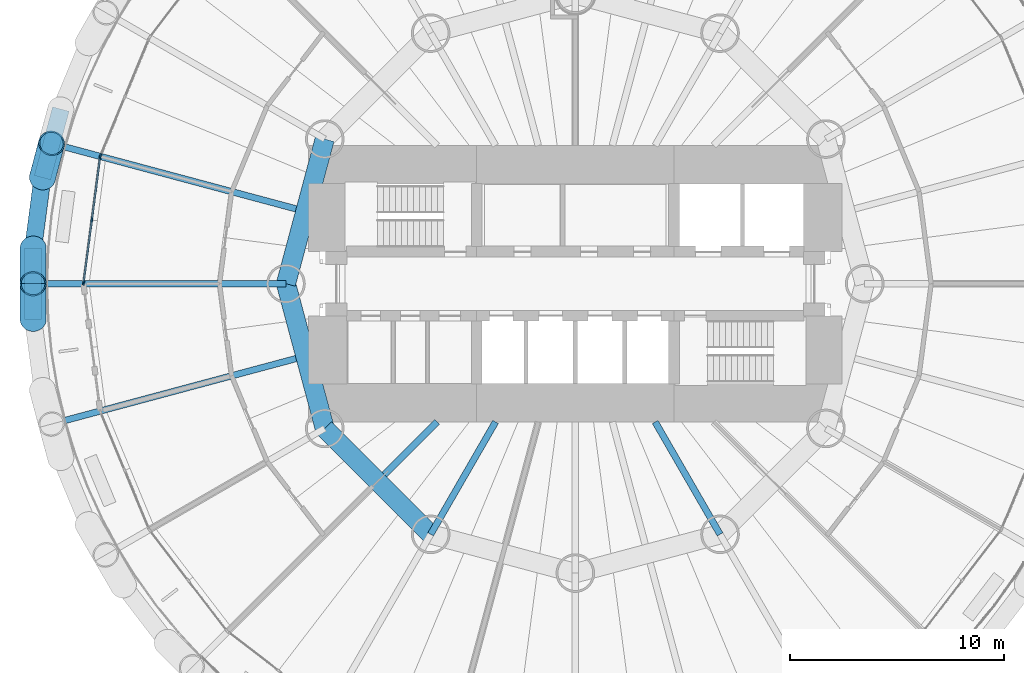
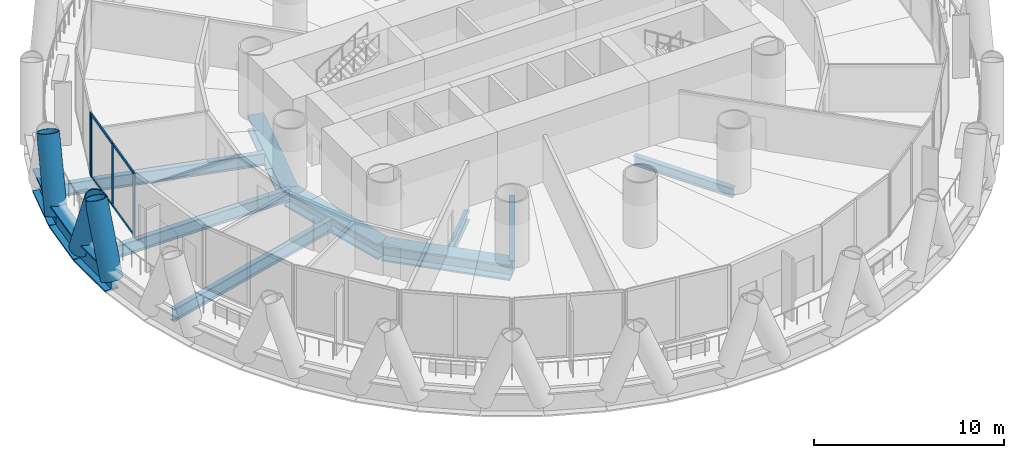
# One storey, part 3 of 16: 12 beams, 11 members, 2 elements without a shape of their own.
"""IFC4 building model written with IfcOpenShell, lengths in metres."""

from ifc_helpers import new_model, si_unit, direction, frame, origin, origin_2d, place, context, subcontext, project, spatial, rectangle, hollow_circle, i_section, extrude, material, material_profile, profile_set, type_object, element, aggregate, save


model = new_model("IFC4")

# Units and contexts
model_context = context("Model", 3, precision=1e-05, world=origin(), true_north=direction((0.0, 1.0)))
body_context = subcontext(model_context, "Body", "Model", "MODEL_VIEW")
ifc_project = project(units=[si_unit("LENGTHUNIT", "METRE"), si_unit("AREAUNIT", "SQUARE_METRE"), si_unit("VOLUMEUNIT", "CUBIC_METRE"), si_unit("PLANEANGLEUNIT", "RADIAN"), si_unit("MASSUNIT", "GRAM", prefix="KILO")], contexts=[model_context])

# Site, building, storey
site_placement = place(None, origin())
site = spatial("IfcSite", under=ifc_project, at=site_placement, CompositionType="ELEMENT")
building_placement = place(site_placement, origin())
building = spatial("IfcBuilding", under=site, at=building_placement, Name="Qaws Media Tower", CompositionType="ELEMENT")
storey_placement = place(building_placement, frame((0.0, 0.0, 105.800048828125)))
storey = spatial("IfcBuildingStorey", under=building, at=storey_placement, Name="L23", CompositionType="ELEMENT", Elevation=105.800048828125)

# Curtain wall, member
ifc_material_1 = material(Name="Aluminium and clear glass", Category="aluminium")
curtain_wall_type = type_object("IfcCurtainWallType", Name="Unitised curtain wall CW-B", PredefinedType="NOTDEFINED", material=ifc_material_1)
curtain_wall_1_placement = place(storey_placement, origin())
curtain_wall_1 = element("IfcCurtainWall", 1, at=curtain_wall_1_placement, inside=storey, type_object=curtain_wall_type, Name="CWB curtain wall L23-11", PredefinedType="NOTDEFINED")
ifc_material_2 = material(Name="Aluminium mullion", Category="aluminium")
ifc_material_profile_1 = material_profile(ifc_material_2, rectangle(XDim=0.080078125, YDim=0.199951171875, at=origin_2d()), Name="80x200")
ifc_profile_set_1 = profile_set([ifc_material_profile_1], Name="Aluminium mullion")
member_type_1 = type_object("IfcMemberType", Name="Curtain wall mullion 80x200", PredefinedType="MULLION", material=ifc_profile_set_1)
member_1_placement = place(storey_placement, frame((37.847412109375, 55.976806640625, 0.0), z_axis=(0.0, 0.0, 1.0), x_axis=(0.923879516682, -0.382683470581, 0.0)))
member_1 = element("IfcMember", 2, at=member_1_placement, type_object=member_type_1, Name="CWB mullion 3", PredefinedType="MULLION", context=body_context, shape_type="SweptSolid", body=[
    extrude(rectangle(XDim=0.080078125, YDim=0.199951171875, at=origin_2d()), origin(), (0.0, 0.0, 1.0), 4.0400390625),
])
aggregate(curtain_wall_1, [member_1])

# Curtain wall, members
curtain_wall_2_placement = place(storey_placement, origin())
curtain_wall_2 = element("IfcCurtainWall", 3, at=curtain_wall_2_placement, inside=storey, type_object=curtain_wall_type, Name="CWB curtain wall L23-12", PredefinedType="NOTDEFINED")
member_2_placement = place(storey_placement, frame((37.82666015625, 55.900146484375, 0.0), z_axis=(0.0, 0.0, 1.0), x_axis=(0.991444867324, -0.130526147022, 0.0)))
member_2 = element("IfcMember", 4, at=member_2_placement, type_object=member_type_1, Name="CWB mullion 1", PredefinedType="MULLION", context=body_context, shape_type="SweptSolid", body=[
    extrude(rectangle(XDim=0.080078125, YDim=0.199951171875, at=origin_2d()), origin(), (0.0, 0.0, 1.0), 4.0400390625),
])
member_3_placement = place(storey_placement, frame((37.44091796875, 52.969970703125, 0.0), z_axis=(0.0, 0.0, 1.0), x_axis=(0.991444867324, -0.130526147022, 0.0)))
member_3 = element("IfcMember", 5, at=member_3_placement, type_object=member_type_1, Name="CWB mullion 2", PredefinedType="MULLION", context=body_context, shape_type="SweptSolid", body=[
    extrude(rectangle(XDim=0.080078125, YDim=0.199951171875, at=origin_2d()), origin(), (0.0, 0.0, 1.0), 4.0400390625),
])
member_4_placement = place(storey_placement, frame((37.05517578125, 50.03955078125, 0.0), z_axis=(0.0, 0.0, 1.0), x_axis=(0.991444867324, -0.130526147022, 0.0)))
member_4 = element("IfcMember", 6, at=member_4_placement, type_object=member_type_1, Name="CWB mullion 3", PredefinedType="MULLION", context=body_context, shape_type="SweptSolid", body=[
    extrude(rectangle(XDim=0.080078125, YDim=0.199951171875, at=origin_2d()), origin(), (0.0, 0.0, 1.0), 4.0400390625),
])
ifc_material_3 = material(Name="Aluminium transom", Category="aluminium")
ifc_material_profile_2 = material_profile(ifc_material_3, rectangle(XDim=0.080078125, YDim=0.159912109375, at=origin_2d()), Name="80x160")
ifc_profile_set_2 = profile_set([ifc_material_profile_2], Name="Aluminium transom")
member_type_2 = type_object("IfcMemberType", Name="Curtain wall transom 80x160", PredefinedType="USERDEFINED", material=ifc_profile_set_2)
member_5_placement = place(storey_placement, frame((37.821533203125, 55.860595703125, 0.0400390625), z_axis=(-0.130489651052, -0.991449671425, 0.0), x_axis=(0.991449671425, -0.130489651052, 0.0)))
member_5 = element("IfcMember", 7, at=member_5_placement, type_object=member_type_2, Name="CWB transom 1.1", ObjectType="TRANSOM", PredefinedType="USERDEFINED", context=body_context, shape_type="SweptSolid", body=[
    extrude(rectangle(XDim=0.080078125, YDim=0.159912109375, at=origin_2d()), origin(), (0.0, 0.0, 1.0), 2.875732421875),
])
member_6_placement = place(storey_placement, frame((37.821533203125, 55.860595703125, 4.0), z_axis=(-0.130489651052, -0.991449671425, 0.0), x_axis=(0.991449671425, -0.130489651052, 0.0)))
member_6 = element("IfcMember", 8, at=member_6_placement, type_object=member_type_2, Name="CWB transom 1.2", ObjectType="TRANSOM", PredefinedType="USERDEFINED", context=body_context, shape_type="SweptSolid", body=[
    extrude(rectangle(XDim=0.080078125, YDim=0.159912109375, at=origin_2d()), origin(), (0.0, 0.0, 1.0), 2.875732421875),
])
member_7_placement = place(storey_placement, frame((37.435791015625, 52.93017578125, 0.0400390625), z_axis=(-0.130500635675, -0.991448225622, 0.0), x_axis=(0.991448225622, -0.130500635675, 0.0)))
member_7 = element("IfcMember", 9, at=member_7_placement, type_object=member_type_2, Name="CWB transom 2.1", ObjectType="TRANSOM", PredefinedType="USERDEFINED", context=body_context, shape_type="SweptSolid", body=[
    extrude(rectangle(XDim=0.080078125, YDim=0.159912109375, at=origin_2d()), origin(), (0.0, 0.0, 1.0), 2.87548828125),
])
member_8_placement = place(storey_placement, frame((37.435791015625, 52.93017578125, 4.0), z_axis=(-0.130500635675, -0.991448225622, 0.0), x_axis=(0.991448225622, -0.130500635675, 0.0)))
member_8 = element("IfcMember", 10, at=member_8_placement, type_object=member_type_2, Name="CWB transom 2.2", ObjectType="TRANSOM", PredefinedType="USERDEFINED", context=body_context, shape_type="SweptSolid", body=[
    extrude(rectangle(XDim=0.080078125, YDim=0.159912109375, at=origin_2d()), origin(), (0.0, 0.0, 1.0), 2.87548828125),
])
aggregate(curtain_wall_2, [member_2, member_3, member_4, member_5, member_6, member_7, member_8])

# Members
ifc_material_4 = material(Name="Steel S460", Category="steel")
ifc_material_profile_3 = material_profile(ifc_material_4, hollow_circle(Radius=0.609619140625, WallThickness=0.06005859375, at=origin_2d()), Name="CHS 1219x60")
ifc_profile_set_3 = profile_set([ifc_material_profile_3], Name="Steel S460")
member_type_3 = type_object("IfcMemberType", Name="Diagrid member CHS 1219x60", PredefinedType="USERDEFINED", material=ifc_profile_set_3)
for number, where, z_axis, x_axis, name in (
    (11, (34.704345703125, 51.657958984375, -0.91015625), (-0.000973192487, -0.367163898888, 0.930155752683), (0.999996487266, -0.002650557616, 0.0), "DG1 diagrid L23 A12"),
    (12, (35.13720703125, 54.945556640625, -0.91015625), (0.094075866241, 0.354893095406, 0.93016161081), (-0.966615169187, 0.256232540278, 0.0), "DG1 diagrid L23 B12"),
    (13, (34.704345703125, 48.342041015625, -0.91015625), (-0.000973192487, 0.367163898888, 0.930155752683), (-0.999996487266, -0.002650557616, 0.0), "DG1 diagrid L23 B13"),
):
    element("IfcMember", number, at=place(storey_placement, frame(where, z_axis=z_axis, x_axis=x_axis)), inside=storey, type_object=member_type_3, Name=name, ObjectType="DIAGRID", PredefinedType="USERDEFINED", context=body_context, shape_type="SweptSolid", body=[
        extrude(hollow_circle(Radius=0.609619140625, WallThickness=0.06005859375, at=origin_2d()), origin(), (0.0, 0.0, 1.0), 4.515625),
    ])

# Beams
ifc_material_5 = material(Name="Steel S460", Category="steel")
ifc_material_profile_4 = material_profile(ifc_material_5, i_section(OverallWidth=0.800048828125, OverallDepth=1.5, WebThickness=0.0400390625, FlangeThickness=0.10009765625, at=origin_2d()), Name="PG 1500x800")
ifc_profile_set_4 = profile_set([ifc_material_profile_4], Name="Steel S460")
beam_type_1 = type_object("IfcBeamType", Name="Edge ring beam PG 1500x800", PredefinedType="BEAM", material=ifc_profile_set_4)
for number, where, z_axis, x_axis, name in (
    (14, (35.995361328125, 58.1484375, -0.91015625), (-0.258803557142, -0.965929976143, 0.0), (0.965929976143, -0.258803557142, 0.0), "RB7 edge ring beam L23-22"),
    (15, (35.13720703125, 54.945556640625, -0.91015625), (-0.130538312051, -0.991443265692, 0.0), (0.991443265692, -0.130538312051, 0.0), "RB7 edge ring beam L23-23"),
    (16, (34.704345703125, 51.657958984375, -0.91015625), (0.0, -1.0, 0.0), (1.0, 0.0, 0.0), "RB7 edge ring beam L23-24"),
):
    element("IfcBeam", number, at=place(storey_placement, frame(where, z_axis=z_axis, x_axis=x_axis)), inside=storey, type_object=beam_type_1, Name=name, PredefinedType="BEAM", context=body_context, shape_type="SweptSolid", body=[
        extrude(i_section(OverallWidth=0.800048828125, OverallDepth=1.5, WebThickness=0.0400390625, FlangeThickness=0.10009765625, at=origin_2d()), origin(), (0.0, 0.0, 1.0), 3.31591796875),
    ])
ifc_material_6 = material(Name="Steel S460", Category="steel")
ifc_material_profile_5 = material_profile(ifc_material_6, i_section(OverallWidth=0.89990234375, OverallDepth=1.0, WebThickness=0.044921875, FlangeThickness=0.110107421875, at=origin_2d()), Name="PG 1000x900")
ifc_profile_set_5 = profile_set([ifc_material_profile_5], Name="Steel S460")
beam_type_2 = type_object("IfcBeamType", Name="Inner ring girder PG 1000x900", PredefinedType="BEAM", material=ifc_profile_set_5)
for number, where, z_axis, x_axis, name in (
    (17, (48.30859375, 56.75, -0.66015625), (-0.258810593767, -0.965928090778, 0.0), (0.965928090778, -0.258810593767, 0.0), "B3 inner ring beam L23 I06-I07"),
    (18, (46.5, 50.0, -0.66015625), (0.258810593767, -0.965928090778, 0.0), (0.965928090778, 0.258810593767, 0.0), "B3 inner ring beam L23 I07-I08"),
):
    element("IfcBeam", number, at=place(storey_placement, frame(where, z_axis=z_axis, x_axis=x_axis)), inside=storey, type_object=beam_type_2, Name=name, PredefinedType="BEAM", context=body_context, shape_type="SweptSolid", body=[
        extrude(i_section(OverallWidth=0.89990234375, OverallDepth=1.0, WebThickness=0.044921875, FlangeThickness=0.110107421875, at=origin_2d()), origin(), (0.0, 0.0, 1.0), 6.988037109375),
    ])
beam_1_placement = place(storey_placement, frame((48.30859375, 43.25, -0.66015625), z_axis=(0.707106781187, -0.707106781187, 0.0), x_axis=(0.707106781187, 0.707106781187, 0.0)))
element("IfcBeam", 19, at=beam_1_placement, inside=storey, type_object=beam_type_2, Name="B3 inner ring beam L23 I08-I09", PredefinedType="BEAM", context=body_context, shape_type="SweptSolid", body=[
    extrude(i_section(OverallWidth=0.89990234375, OverallDepth=1.0, WebThickness=0.044921875, FlangeThickness=0.110107421875, at=origin_2d()), origin(), (0.0, 0.0, 1.0), 6.98828125),
])
ifc_material_7 = material(Name="Steel S355", Category="steel")
ifc_material_profile_6 = material_profile(ifc_material_7, i_section(OverallWidth=0.304931640625, OverallDepth=0.6201171875, WebThickness=0.02099609375, FlangeThickness=0.0400390625, FilletRadius=0.027099609375, at=origin_2d()), Name="HE 600 M")
ifc_profile_set_6 = profile_set([ifc_material_profile_6], Name="Steel S355")
beam_type_3 = type_object("IfcBeamType", Name="Radial beam HE 600 M, core side", PredefinedType="BEAM", material=ifc_profile_set_6)
beam_2_placement = place(storey_placement, frame((53.550048828125, 43.550048828125, -0.469970703125), z_axis=(-0.707106781187, -0.707106781187, 0.0), x_axis=(0.707106781187, -0.707106781187, 0.0)))
element("IfcBeam", 20, at=beam_2_placement, inside=storey, type_object=beam_type_3, Name="B2 radial beam L23 16", PredefinedType="BEAM", context=body_context, shape_type="SweptSolid", body=[
    extrude(i_section(OverallWidth=0.304931640625, OverallDepth=0.6201171875, WebThickness=0.02099609375, FlangeThickness=0.0400390625, FilletRadius=0.027099609375, at=origin_2d()), origin(), (0.0, 0.0, 1.0), 3.468505859375),
])
for number, where, z_axis, x_axis, name in (
    (21, (56.276123046875, 43.550048828125, -0.469970703125), (-0.499995978368, -0.866027725662, 0.0), (0.866027725662, -0.499995978368, 0.0), "B2 radial beam L23 17"),
    (22, (63.723876953125, 43.550048828125, -0.469970703125), (0.499995978368, -0.866027725662, 0.0), (0.866027725662, 0.499995978368, 0.0), "B2 radial beam L23 21"),
):
    element("IfcBeam", number, at=place(storey_placement, frame(where, z_axis=z_axis, x_axis=x_axis)), inside=storey, type_object=beam_type_3, Name=name, PredefinedType="BEAM", context=body_context, shape_type="SweptSolid", body=[
        extrude(i_section(OverallWidth=0.304931640625, OverallDepth=0.6201171875, WebThickness=0.02099609375, FlangeThickness=0.0400390625, FilletRadius=0.027099609375, at=origin_2d()), origin(), (0.0, 0.0, 1.0), 6.05224609375),
    ])
ifc_material_8 = material(Name="Steel S355", Category="steel")
ifc_material_profile_7 = material_profile(ifc_material_8, i_section(OverallWidth=0.300048828125, OverallDepth=0.800048828125, WebThickness=0.017578125, FlangeThickness=0.032958984375, FilletRadius=0.030029296875, at=origin_2d()), Name="HE 800 B")
ifc_profile_set_7 = profile_set([ifc_material_profile_7], Name="Steel S355")
beam_type_4 = type_object("IfcBeamType", Name="Radial beam HE 800 B", PredefinedType="BEAM", material=ifc_profile_set_7)
beam_3_placement = place(storey_placement, frame((46.9697265625, 53.491455078125, -0.56005859375), z_axis=(-0.965923959046, 0.258826013647, 0.0), x_axis=(-0.258826013647, -0.965923959046, 0.0)))
element("IfcBeam", 23, at=beam_3_placement, inside=storey, type_object=beam_type_4, Name="B1 radial beam L23 12", PredefinedType="BEAM", context=body_context, shape_type="SweptSolid", body=[
    extrude(i_section(OverallWidth=0.300048828125, OverallDepth=0.800048828125, WebThickness=0.017578125, FlangeThickness=0.032958984375, FilletRadius=0.030029296875, at=origin_2d()), origin(), (0.0, 0.0, 1.0), 11.805908203125),
])
beam_4_placement = place(storey_placement, frame((46.5, 50.0, -0.56005859375), z_axis=(-1.0, 0.0, 0.0), x_axis=(0.0, -1.0, 0.0)))
element("IfcBeam", 24, at=beam_4_placement, inside=storey, type_object=beam_type_4, Name="B1 radial beam L23 13", PredefinedType="BEAM", context=body_context, shape_type="SweptSolid", body=[
    extrude(i_section(OverallWidth=0.300048828125, OverallDepth=0.800048828125, WebThickness=0.017578125, FlangeThickness=0.032958984375, FilletRadius=0.030029296875, at=origin_2d()), origin(), (0.0, 0.0, 1.0), 11.795654296875),
])
beam_5_placement = place(storey_placement, frame((46.9697265625, 46.508544921875, -0.56005859375), z_axis=(-0.965923959046, -0.258826013647, 0.0), x_axis=(0.258826013647, -0.965923959046, 0.0)))
element("IfcBeam", 25, at=beam_5_placement, inside=storey, type_object=beam_type_4, Name="B1 radial beam L23 14", PredefinedType="BEAM", context=body_context, shape_type="SweptSolid", body=[
    extrude(i_section(OverallWidth=0.300048828125, OverallDepth=0.800048828125, WebThickness=0.017578125, FlangeThickness=0.032958984375, FilletRadius=0.030029296875, at=origin_2d()), origin(), (0.0, 0.0, 1.0), 11.805908203125),
])

save(model, "model.ifc")
